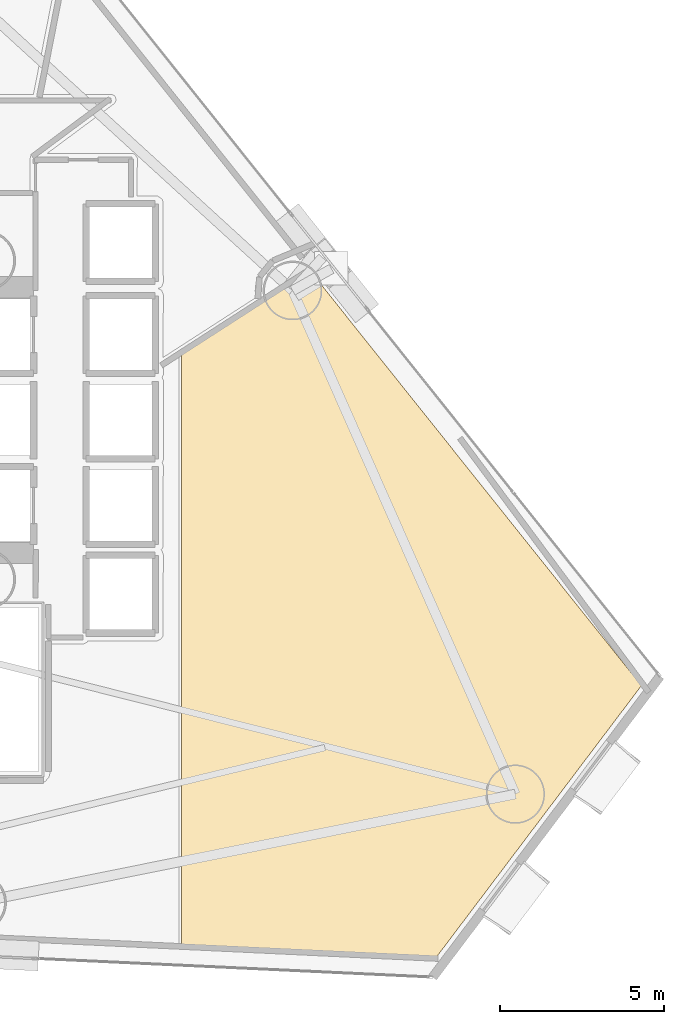
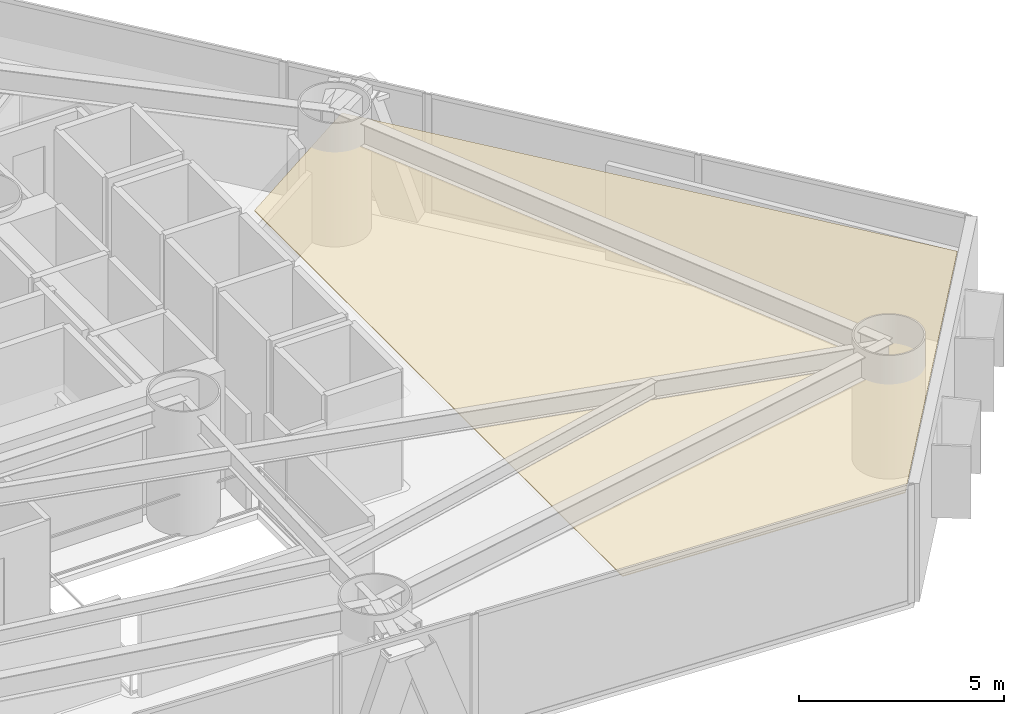
# One storey, part 23 of 23: 1 covering.
"""IFC4 building model written with IfcOpenShell, lengths in metres."""

from ifc_helpers import new_model, si_unit, direction, frame, origin, place, context, subcontext, project, spatial, polyline, outline, extrude, material, layer, layer_set, type_object, element, save


model = new_model("IFC4")

# Units and contexts
model_context = context("Model", 3, precision=1e-05, world=origin(), true_north=direction((0.0, 1.0)))
body_context = subcontext(model_context, "Body", "Model", "MODEL_VIEW")
ifc_project = project(units=[si_unit("LENGTHUNIT", "METRE"), si_unit("AREAUNIT", "SQUARE_METRE"), si_unit("VOLUMEUNIT", "CUBIC_METRE"), si_unit("PLANEANGLEUNIT", "RADIAN"), si_unit("MASSUNIT", "GRAM", prefix="KILO")], contexts=[model_context])

# Site, building, storey
site_placement = place(None, origin())
site = spatial("IfcSite", under=ifc_project, at=site_placement, CompositionType="ELEMENT")
building_placement = place(site_placement, origin())
building = spatial("IfcBuilding", under=site, at=building_placement, Name="Qianvela Tower", CompositionType="ELEMENT")
storey_placement = place(building_placement, frame((0.0, 0.0, 36.800048828125)))
storey = spatial("IfcBuildingStorey", under=building, at=storey_placement, Name="L08", CompositionType="ELEMENT", Elevation=36.800048828125)

# Covering
ifc_material = material(Name="Perforated Mineral Acoustic Ceiling Tile")
ifc_layer = layer(ifc_material, 0.02490234375)
ifc_layer_set = layer_set([ifc_layer], Name="Perforated Mineral Acoustic Ceiling Tile")
covering_type = type_object("IfcCoveringType", Name="COV-CEIL-ACOUSTIC-25", PredefinedType="CEILING", material=ifc_layer_set)
covering_placement = place(storey_placement, frame((0.0, 0.0, 2.81494140625)))
element("IfcCovering", 1, at=covering_placement, inside=storey, type_object=covering_type, Name="L08 Acoustic Ceiling Bay 2 Student Tea Pantry L08-02", PredefinedType="CEILING", context=body_context, shape_type="SweptSolid", body=[
    extrude(outline(polyline([(48.276611328125, 33.230712890625), (58.348388671875, 20.617431640625), (52.11669921875, 12.36669921875), (44.356201171875, 12.73095703125), (44.356201171875, 30.703125), (48.276611328125, 33.230712890625)])), origin(), (0.0, 0.0, 1.0), 0.02490234375),
])

save(model, "model.ifc")
